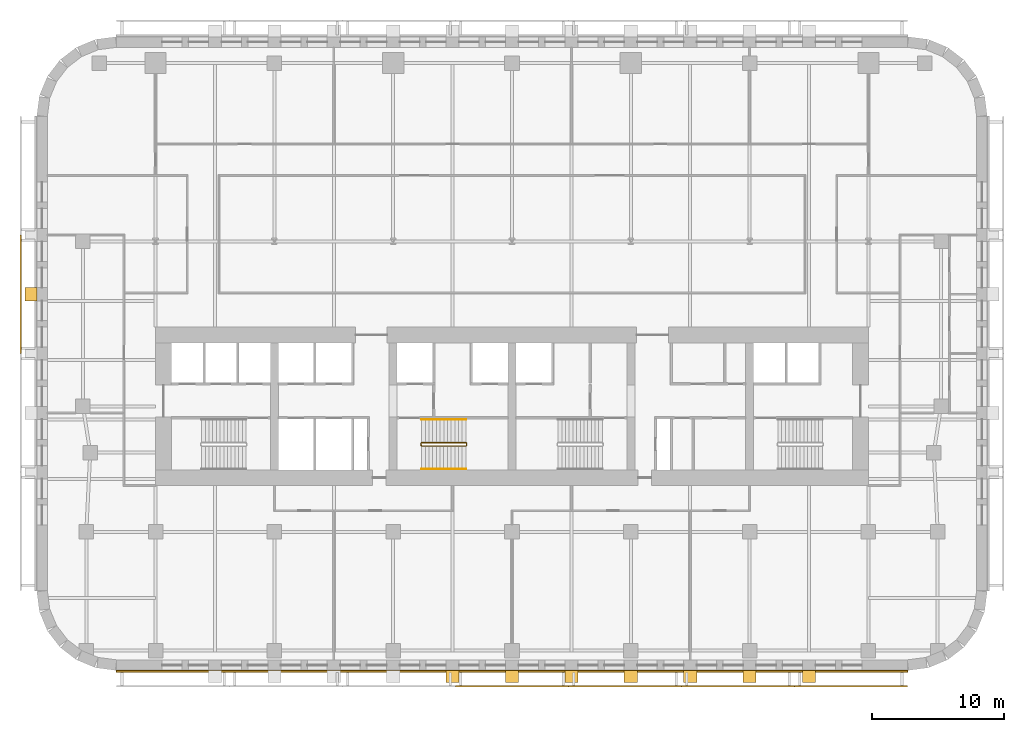
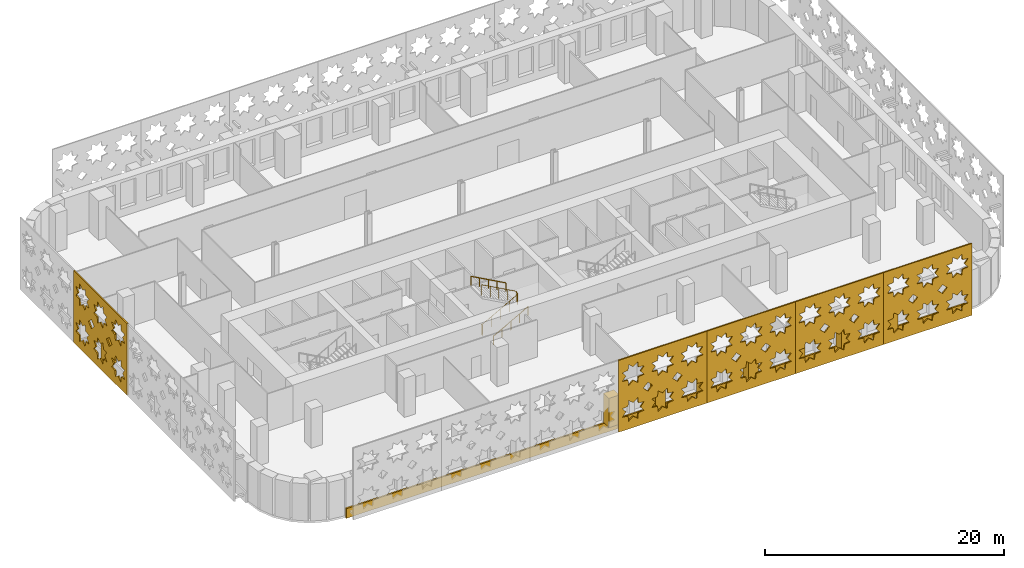
# One storey, part 12 of 15: 14 coverings, 3 railings.
"""IFC4 building model written with IfcOpenShell, lengths in metres."""

from ifc_helpers import new_model, si_unit, direction, frame, origin, origin_2d, place, context, subcontext, project, spatial, polyline, circle, outline, extrude, material, layer, layer_set, type_object, element, save


model = new_model("IFC4")

# Units and contexts
model_context = context("Model", 3, precision=1e-05, world=origin(), true_north=direction((0.0, 1.0)))
body_context = subcontext(model_context, "Body", "Model", "MODEL_VIEW")
ifc_project = project(units=[si_unit("LENGTHUNIT", "METRE"), si_unit("AREAUNIT", "SQUARE_METRE"), si_unit("VOLUMEUNIT", "CUBIC_METRE"), si_unit("PLANEANGLEUNIT", "RADIAN"), si_unit("MASSUNIT", "GRAM", prefix="KILO")], contexts=[model_context])

# Site, building, storey
site_placement = place(None, origin())
site = spatial("IfcSite", under=ifc_project, at=site_placement, CompositionType="ELEMENT")
building_placement = place(site_placement, origin())
building = spatial("IfcBuilding", under=site, at=building_placement, Name="Zellij Exchange Tower", CompositionType="ELEMENT")
storey_placement = place(building_placement, frame((0.0, 0.0, 92.5)))
storey = spatial("IfcBuildingStorey", under=building, at=storey_placement, Name="L19", CompositionType="ELEMENT", Elevation=92.5)

# Railings
ifc_material_1 = material(Name="Stainless steel", Category="steel")
railing_type_1 = type_object("IfcRailingType", Name="CORE-RG stair guard", PredefinedType="GUARDRAIL", material=ifc_material_1)
railing_1_placement = place(storey_placement, frame((-6.89990234375, -10.949951171875, 0.0)))
element("IfcRailing", 1, at=railing_1_placement, inside=storey, type_object=railing_type_1, Name="ST2 stair guard L19", PredefinedType="GUARDRAIL", context=body_context, shape_type="SweptSolid", body=[
    extrude(circle(Radius=0.02392578125, at=origin_2d()), frame((0.0, 0.0, 1.076171875), z_axis=(0.0, 1.0, 0.0), x_axis=(-1.0, 0.0, 0.0)), (0.0, 0.0, 1.0), 0.14990234375),
    extrude(circle(Radius=0.02392578125, at=origin_2d()), frame((0.0, 0.14990234375, 1.076171875), z_axis=(0.193691321961, -0.777613689637, 0.598164376644), x_axis=(0.970351222016, 0.241699205484, 0.0)), (0.0, 0.0, 1.0), 0.257080078125),
    extrude(circle(Radius=0.02392578125, at=origin_2d()), frame((0.0498046875, -0.050048828125, 1.22998046875), z_axis=(0.876421534553, 0.0, 0.481544695509), x_axis=(0.0, 1.0, 0.0)), (0.0, 0.0, 1.0), 3.833984375),
    extrude(circle(Radius=0.02392578125, at=origin_2d()), frame((3.409912109375, -0.050048828125, 3.076171875), z_axis=(0.707106781187, 0.707106781187, 0.0), x_axis=(-0.707106781187, 0.707106781187, 0.0)), (0.0, 0.0, 1.0), 0.07080078125),
    extrude(circle(Radius=0.02392578125, at=origin_2d()), frame((3.4599609375, 0.0, 3.076171875), z_axis=(0.0, 1.0, 0.0), x_axis=(-1.0, 0.0, 0.0)), (0.0, 0.0, 1.0), 0.14990234375),
    extrude(circle(Radius=0.02392578125, at=origin_2d()), frame((3.4599609375, 0.14990234375, 3.076171875), z_axis=(-0.295599637079, 0.295599637079, 0.908428152975), x_axis=(-0.707106781187, -0.707106781187, 0.0)), (0.0, 0.0, 1.0), 0.16943359375),
    extrude(circle(Radius=0.02392578125, at=origin_2d()), frame((3.409912109375, 0.199951171875, 3.22998046875), z_axis=(-0.876421534553, 0.0, 0.481544695509), x_axis=(0.0, -1.0, 0.0)), (0.0, 0.0, 1.0), 3.833984375),
    extrude(circle(Radius=0.02099609375, at=origin_2d()), origin(), (0.0, 0.0, 1.0), 1.052001953125),
    extrude(circle(Radius=0.02099609375, at=origin_2d()), frame((0.0, 0.14990234375, 0.0)), (0.0, 0.0, 1.0), 1.052001953125),
    extrude(circle(Radius=0.02099609375, at=origin_2d()), frame((0.0498046875, -0.050048828125, 0.15380859375)), (0.0, 0.0, 1.0), 1.052001953125),
    extrude(circle(Radius=0.02099609375, at=origin_2d()), frame((0.889892578125, -0.050048828125, 0.615234375)), (0.0, 0.0, 1.0), 1.052001953125),
    extrude(circle(Radius=0.02099609375, at=origin_2d()), frame((1.72998046875, -0.050048828125, 1.076904296875)), (0.0, 0.0, 1.0), 1.052001953125),
    extrude(circle(Radius=0.02099609375, at=origin_2d()), frame((2.56982421875, -0.050048828125, 1.53857421875)), (0.0, 0.0, 1.0), 1.052001953125),
    extrude(circle(Radius=0.02099609375, at=origin_2d()), frame((3.409912109375, -0.050048828125, 2.0)), (0.0, 0.0, 1.0), 1.052001953125),
    extrude(circle(Radius=0.02099609375, at=origin_2d()), frame((3.4599609375, 0.0, 2.0)), (0.0, 0.0, 1.0), 1.052001953125),
    extrude(circle(Radius=0.02099609375, at=origin_2d()), frame((3.4599609375, 0.14990234375, 2.0)), (0.0, 0.0, 1.0), 1.052001953125),
    extrude(circle(Radius=0.02099609375, at=origin_2d()), frame((3.409912109375, 0.199951171875, 2.15380859375)), (0.0, 0.0, 1.0), 1.052001953125),
    extrude(circle(Radius=0.02099609375, at=origin_2d()), frame((2.56982421875, 0.199951171875, 2.615234375)), (0.0, 0.0, 1.0), 1.052001953125),
    extrude(circle(Radius=0.02099609375, at=origin_2d()), frame((1.72998046875, 0.199951171875, 3.076904296875)), (0.0, 0.0, 1.0), 1.052001953125),
    extrude(circle(Radius=0.02099609375, at=origin_2d()), frame((0.889892578125, 0.199951171875, 3.53857421875)), (0.0, 0.0, 1.0), 1.052001953125),
    extrude(circle(Radius=0.02099609375, at=origin_2d()), frame((0.0498046875, 0.199951171875, 4.0)), (0.0, 0.0, 1.0), 1.052001953125),
])
railing_type_2 = type_object("IfcRailingType", Name="CORE-RH stair handrail", PredefinedType="HANDRAIL", material=ifc_material_1)
railing_2_placement = place(storey_placement, frame((-6.85009765625, -12.75, 0.15380859375)))
element("IfcRailing", 2, at=railing_2_placement, inside=storey, type_object=railing_type_2, Name="ST2 stair handrail L19", PredefinedType="HANDRAIL", context=body_context, shape_type="SweptSolid", body=[
    extrude(circle(Radius=0.02392578125, at=origin_2d()), frame((0.0, 0.0, 0.8759765625), z_axis=(0.876421534553, 0.0, 0.481544695509), x_axis=(0.0, 1.0, 0.0)), (0.0, 0.0, 1.0), 3.833984375),
    extrude(circle(Radius=0.02099609375, at=origin_2d()), origin(), (0.0, 0.0, 1.0), 0.851806640625),
    extrude(circle(Radius=0.02099609375, at=origin_2d()), frame((0.840087890625, 0.0, 0.46142578125)), (0.0, 0.0, 1.0), 0.851806640625),
    extrude(circle(Radius=0.02099609375, at=origin_2d()), frame((1.68017578125, 0.0, 0.923095703125)), (0.0, 0.0, 1.0), 0.851806640625),
    extrude(circle(Radius=0.02099609375, at=origin_2d()), frame((2.52001953125, 0.0, 1.384765625)), (0.0, 0.0, 1.0), 0.851806640625),
    extrude(circle(Radius=0.02099609375, at=origin_2d()), frame((3.360107421875, 0.0, 1.84619140625)), (0.0, 0.0, 1.0), 0.851806640625),
])
railing_3_placement = place(storey_placement, frame((-3.489990234375, -9.0, 2.15380859375)))
element("IfcRailing", 3, at=railing_3_placement, inside=storey, type_object=railing_type_2, Name="ST2 stair handrail L19", PredefinedType="HANDRAIL", context=body_context, shape_type="SweptSolid", body=[
    extrude(circle(Radius=0.02392578125, at=origin_2d()), frame((0.0, 0.0, 0.8759765625), z_axis=(-0.876421534553, 0.0, 0.481544695509), x_axis=(0.0, -1.0, 0.0)), (0.0, 0.0, 1.0), 3.833984375),
    extrude(circle(Radius=0.02099609375, at=origin_2d()), origin(), (0.0, 0.0, 1.0), 0.851806640625),
    extrude(circle(Radius=0.02099609375, at=origin_2d()), frame((-0.840087890625, 0.0, 0.46142578125)), (0.0, 0.0, 1.0), 0.851806640625),
    extrude(circle(Radius=0.02099609375, at=origin_2d()), frame((-1.68017578125, 0.0, 0.923095703125)), (0.0, 0.0, 1.0), 0.851806640625),
    extrude(circle(Radius=0.02099609375, at=origin_2d()), frame((-2.52001953125, 0.0, 1.384765625)), (0.0, 0.0, 1.0), 0.851806640625),
    extrude(circle(Radius=0.02099609375, at=origin_2d()), frame((-3.360107421875, 0.0, 1.84619140625)), (0.0, 0.0, 1.0), 0.851806640625),
])

# Coverings
ifc_material_2 = material(Name="Limestone cladding", Category="masonry")
ifc_layer_1 = layer(ifc_material_2, 0.14990234375)
ifc_layer_set_1 = layer_set([ifc_layer_1], Name="Limestone cladding")
covering_type_1 = type_object("IfcCoveringType", Name="ENV-CV1 Stone spandrel band 150", PredefinedType="CLADDING", material=ifc_layer_set_1)
covering_1_placement = place(storey_placement, frame((0.0, 0.0, -0.199951171875)))
element("IfcCovering", 4, at=covering_1_placement, inside=storey, type_object=covering_type_1, Name="Stone spandrel band", PredefinedType="CLADDING", context=body_context, shape_type="SweptSolid", body=[
    extrude(outline(polyline([(-29.973876953125, -28.0), (29.973876953125, -28.0), (29.983642578125, -28.14990234375), (-29.983642578125, -28.14990234375), (-29.973876953125, -28.0)])), origin(), (0.0, 0.0, 1.0), 1.0),
])
covering_type_2 = type_object("IfcCoveringType", Name="ENV-CV2 Stone pier 1000x900", PredefinedType="CLADDING", material=ifc_material_2)
covering_2_placement = place(storey_placement, frame((0.0, 0.0, 0.800048828125)))
element("IfcCovering", 5, at=covering_2_placement, inside=storey, type_object=covering_type_2, Name="Stone pier", PredefinedType="CLADDING", context=body_context, shape_type="SweptSolid", body=[
    extrude(outline(polyline([(-5.0, -28.0), (-4.0, -28.0), (-4.0, -28.89990234375), (-5.0, -28.89990234375), (-5.0, -28.0)])), origin(), (0.0, 0.0, 1.0), 3.0),
])
covering_3_placement = place(storey_placement, frame((0.0, 0.0, 0.800048828125)))
element("IfcCovering", 6, at=covering_3_placement, inside=storey, type_object=covering_type_2, Name="Stone pier", PredefinedType="CLADDING", context=body_context, shape_type="SweptSolid", body=[
    extrude(outline(polyline([(-0.5, -28.0), (0.5, -28.0), (0.5, -28.89990234375), (-0.5, -28.89990234375), (-0.5, -28.0)])), origin(), (0.0, 0.0, 1.0), 3.0),
])
covering_4_placement = place(storey_placement, frame((0.0, 0.0, 0.800048828125)))
element("IfcCovering", 7, at=covering_4_placement, inside=storey, type_object=covering_type_2, Name="Stone pier", PredefinedType="CLADDING", context=body_context, shape_type="SweptSolid", body=[
    extrude(outline(polyline([(4.0, -28.0), (5.0, -28.0), (5.0, -28.89990234375), (4.0, -28.89990234375), (4.0, -28.0)])), origin(), (0.0, 0.0, 1.0), 3.0),
])
covering_5_placement = place(storey_placement, frame((0.0, 0.0, 0.800048828125)))
element("IfcCovering", 8, at=covering_5_placement, inside=storey, type_object=covering_type_2, Name="Stone pier", PredefinedType="CLADDING", context=body_context, shape_type="SweptSolid", body=[
    extrude(outline(polyline([(8.5, -28.0), (9.5, -28.0), (9.5, -28.89990234375), (8.5, -28.89990234375), (8.5, -28.0)])), origin(), (0.0, 0.0, 1.0), 3.0),
])
covering_6_placement = place(storey_placement, frame((0.0, 0.0, 0.800048828125)))
element("IfcCovering", 9, at=covering_6_placement, inside=storey, type_object=covering_type_2, Name="Stone pier", PredefinedType="CLADDING", context=body_context, shape_type="SweptSolid", body=[
    extrude(outline(polyline([(13.0, -28.0), (14.0, -28.0), (14.0, -28.89990234375), (13.0, -28.89990234375), (13.0, -28.0)])), origin(), (0.0, 0.0, 1.0), 3.0),
])
covering_7_placement = place(storey_placement, frame((0.0, 0.0, 0.800048828125)))
element("IfcCovering", 10, at=covering_7_placement, inside=storey, type_object=covering_type_2, Name="Stone pier", PredefinedType="CLADDING", context=body_context, shape_type="SweptSolid", body=[
    extrude(outline(polyline([(17.5, -28.0), (18.5, -28.0), (18.5, -28.89990234375), (17.5, -28.89990234375), (17.5, -28.0)])), origin(), (0.0, 0.0, 1.0), 3.0),
])
covering_8_placement = place(storey_placement, frame((0.0, 0.0, 0.800048828125)))
element("IfcCovering", 11, at=covering_8_placement, inside=storey, type_object=covering_type_2, Name="Stone pier", PredefinedType="CLADDING", context=body_context, shape_type="SweptSolid", body=[
    extrude(outline(polyline([(22.0, -28.0), (23.0, -28.0), (23.0, -28.89990234375), (22.0, -28.89990234375), (22.0, -28.0)])), origin(), (0.0, 0.0, 1.0), 3.0),
])
covering_9_placement = place(storey_placement, frame((0.0, 0.0, 0.800048828125)))
element("IfcCovering", 12, at=covering_9_placement, inside=storey, type_object=covering_type_2, Name="Stone pier", PredefinedType="CLADDING", context=body_context, shape_type="SweptSolid", body=[
    extrude(outline(polyline([(-36.0, 0.993408203125), (-36.0, -0.006591796875), (-36.89990234375, -0.006591796875), (-36.89990234375, 0.993408203125), (-36.0, 0.993408203125)])), origin(), (0.0, 0.0, 1.0), 3.0),
])
ifc_material_3 = material(Name="Limestone screen", Category="masonry")
ifc_layer_2 = layer(ifc_material_3, 0.1201171875)
ifc_layer_set_2 = layer_set([ifc_layer_2], Name="Limestone screen")
covering_type_3 = type_object("IfcCoveringType", Name="ENV-SC1 Pierced stone screen 120", PredefinedType="USERDEFINED", material=ifc_layer_set_2)
covering_10_placement = place(storey_placement, frame((-37.2099609375, 4.973876953125, 0.300048828125), z_axis=(0.0, 0.0, 1.0), x_axis=(0.0, -1.0, 0.0)))
element("IfcCovering", 13, at=covering_10_placement, inside=storey, type_object=covering_type_3, Name="Pierced stone screen", ObjectType="SCREEN", PredefinedType="USERDEFINED", context=body_context, shape_type="SweptSolid", body=[
    extrude(outline(polyline([(0.0, 0.0), (8.973876953125, 0.0), (8.973876953125, 7.35009765625), (0.0, 7.35009765625), (0.0, 0.0)]), holes=[polyline([(2.60107421875, 2.29541015625), (2.020263671875, 2.362060546875), (1.95361328125, 2.94287109375), (1.49560546875, 2.579345703125), (1.03759765625, 2.94287109375), (0.97119140625, 2.362060546875), (0.39013671875, 2.29541015625), (0.75390625, 1.83740234375), (0.39013671875, 1.379638671875), (0.97119140625, 1.31298828125), (1.03759765625, 0.732177734375), (1.49560546875, 1.095703125), (1.95361328125, 0.732177734375), (2.020263671875, 1.31298828125), (2.60107421875, 1.379638671875), (2.237548828125, 1.83740234375), (2.60107421875, 2.29541015625)]), polyline([(2.60107421875, 5.970458984375), (2.020263671875, 6.037109375), (1.95361328125, 6.617919921875), (1.49560546875, 6.25439453125), (1.03759765625, 6.617919921875), (0.97119140625, 6.037109375), (0.39013671875, 5.970458984375), (0.75390625, 5.512451171875), (0.39013671875, 5.0546875), (0.97119140625, 4.98779296875), (1.03759765625, 4.406982421875), (1.49560546875, 4.770751953125), (1.95361328125, 4.406982421875), (2.020263671875, 4.98779296875), (2.60107421875, 5.0546875), (2.237548828125, 5.512451171875), (2.60107421875, 5.970458984375)]), polyline([(5.59228515625, 2.29541015625), (5.011474609375, 2.362060546875), (4.94482421875, 2.94287109375), (4.48681640625, 2.579345703125), (4.029052734375, 2.94287109375), (3.96240234375, 2.362060546875), (3.381591796875, 2.29541015625), (3.7451171875, 1.83740234375), (3.381591796875, 1.379638671875), (3.96240234375, 1.31298828125), (4.029052734375, 0.732177734375), (4.48681640625, 1.095703125), (4.94482421875, 0.732177734375), (5.011474609375, 1.31298828125), (5.59228515625, 1.379638671875), (5.228759765625, 1.83740234375), (5.59228515625, 2.29541015625)]), polyline([(5.59228515625, 5.970458984375), (5.011474609375, 6.037109375), (4.94482421875, 6.617919921875), (4.48681640625, 6.25439453125), (4.029052734375, 6.617919921875), (3.96240234375, 6.037109375), (3.381591796875, 5.970458984375), (3.7451171875, 5.512451171875), (3.381591796875, 5.0546875), (3.96240234375, 4.98779296875), (4.029052734375, 4.406982421875), (4.48681640625, 4.770751953125), (4.94482421875, 4.406982421875), (5.011474609375, 4.98779296875), (5.59228515625, 5.0546875), (5.228759765625, 5.512451171875), (5.59228515625, 5.970458984375)]), polyline([(8.58349609375, 2.29541015625), (8.002685546875, 2.362060546875), (7.93603515625, 2.94287109375), (7.478271484375, 2.579345703125), (7.020263671875, 2.94287109375), (6.95361328125, 2.362060546875), (6.372802734375, 2.29541015625), (6.736328125, 1.83740234375), (6.372802734375, 1.379638671875), (6.95361328125, 1.31298828125), (7.020263671875, 0.732177734375), (7.478271484375, 1.095703125), (7.93603515625, 0.732177734375), (8.002685546875, 1.31298828125), (8.58349609375, 1.379638671875), (8.219970703125, 1.83740234375), (8.58349609375, 2.29541015625)]), polyline([(8.58349609375, 5.970458984375), (8.002685546875, 6.037109375), (7.93603515625, 6.617919921875), (7.478271484375, 6.25439453125), (7.020263671875, 6.617919921875), (6.95361328125, 6.037109375), (6.372802734375, 5.970458984375), (6.736328125, 5.512451171875), (6.372802734375, 5.0546875), (6.95361328125, 4.98779296875), (7.020263671875, 4.406982421875), (7.478271484375, 4.770751953125), (7.93603515625, 4.406982421875), (8.002685546875, 4.98779296875), (8.58349609375, 5.0546875), (8.219970703125, 5.512451171875), (8.58349609375, 5.970458984375)]), polyline([(3.469970703125, 3.675048828125), (2.9912109375, 4.153564453125), (2.5126953125, 3.675048828125), (2.9912109375, 3.1962890625), (3.469970703125, 3.675048828125)]), polyline([(6.461181640625, 3.675048828125), (5.982421875, 4.153564453125), (5.50390625, 3.675048828125), (5.982421875, 3.1962890625), (6.461181640625, 3.675048828125)])]), frame((0.0, 0.06005859375, 0.0), z_axis=(0.0, -1.0, 0.0), x_axis=(1.0, 0.0, 0.0)), (0.0, 0.0, 1.0), 0.1201171875),
])
covering_11_placement = place(storey_placement, frame((-4.2783203125, -29.2099609375, 0.300048828125), z_axis=(0.0, 0.0, 1.0), x_axis=(1.0, 0.0, 0.0)))
element("IfcCovering", 14, at=covering_11_placement, inside=storey, type_object=covering_type_3, Name="Pierced stone screen", ObjectType="SCREEN", PredefinedType="USERDEFINED", context=body_context, shape_type="SweptSolid", body=[
    extrude(outline(polyline([(0.0, 0.0), (8.556396484375, 0.0), (8.556396484375, 7.35009765625), (0.0, 7.35009765625), (0.0, 0.0)]), holes=[polyline([(2.47998046875, 2.274169921875), (1.92626953125, 2.337646484375), (1.86279296875, 2.8916015625), (1.426025390625, 2.544921875), (0.989501953125, 2.8916015625), (0.92578125, 2.337646484375), (0.3720703125, 2.274169921875), (0.71875, 1.83740234375), (0.3720703125, 1.40087890625), (0.92578125, 1.33740234375), (0.989501953125, 0.783447265625), (1.426025390625, 1.130126953125), (1.86279296875, 0.783447265625), (1.92626953125, 1.33740234375), (2.47998046875, 1.40087890625), (2.13330078125, 1.83740234375), (2.47998046875, 2.274169921875)]), polyline([(2.47998046875, 5.94921875), (1.92626953125, 6.0126953125), (1.86279296875, 6.56640625), (1.426025390625, 6.2197265625), (0.989501953125, 6.56640625), (0.92578125, 6.0126953125), (0.3720703125, 5.94921875), (0.71875, 5.512451171875), (0.3720703125, 5.075927734375), (0.92578125, 5.01220703125), (0.989501953125, 4.45849609375), (1.426025390625, 4.80517578125), (1.86279296875, 4.45849609375), (1.92626953125, 5.01220703125), (2.47998046875, 5.075927734375), (2.13330078125, 5.512451171875), (2.47998046875, 5.94921875)]), polyline([(5.332275390625, 2.274169921875), (4.7783203125, 2.337646484375), (4.71484375, 2.8916015625), (4.2783203125, 2.544921875), (3.841552734375, 2.8916015625), (3.778076171875, 2.337646484375), (3.22412109375, 2.274169921875), (3.57080078125, 1.83740234375), (3.22412109375, 1.40087890625), (3.778076171875, 1.33740234375), (3.841552734375, 0.783447265625), (4.2783203125, 1.130126953125), (4.71484375, 0.783447265625), (4.7783203125, 1.33740234375), (5.332275390625, 1.40087890625), (4.985595703125, 1.83740234375), (5.332275390625, 2.274169921875)]), polyline([(5.332275390625, 5.94921875), (4.7783203125, 6.0126953125), (4.71484375, 6.56640625), (4.2783203125, 6.2197265625), (3.841552734375, 6.56640625), (3.778076171875, 6.0126953125), (3.22412109375, 5.94921875), (3.57080078125, 5.512451171875), (3.22412109375, 5.075927734375), (3.778076171875, 5.01220703125), (3.841552734375, 4.45849609375), (4.2783203125, 4.80517578125), (4.71484375, 4.45849609375), (4.7783203125, 5.01220703125), (5.332275390625, 5.075927734375), (4.985595703125, 5.512451171875), (5.332275390625, 5.94921875)]), polyline([(8.184326171875, 2.274169921875), (7.630615234375, 2.337646484375), (7.56689453125, 2.8916015625), (7.13037109375, 2.544921875), (6.69384765625, 2.8916015625), (6.630126953125, 2.337646484375), (6.076416015625, 2.274169921875), (6.423095703125, 1.83740234375), (6.076416015625, 1.40087890625), (6.630126953125, 1.33740234375), (6.69384765625, 0.783447265625), (7.13037109375, 1.130126953125), (7.56689453125, 0.783447265625), (7.630615234375, 1.33740234375), (8.184326171875, 1.40087890625), (7.837646484375, 1.83740234375), (8.184326171875, 2.274169921875)]), polyline([(8.184326171875, 5.94921875), (7.630615234375, 6.0126953125), (7.56689453125, 6.56640625), (7.13037109375, 6.2197265625), (6.69384765625, 6.56640625), (6.630126953125, 6.0126953125), (6.076416015625, 5.94921875), (6.423095703125, 5.512451171875), (6.076416015625, 5.075927734375), (6.630126953125, 5.01220703125), (6.69384765625, 4.45849609375), (7.13037109375, 4.80517578125), (7.56689453125, 4.45849609375), (7.630615234375, 5.01220703125), (8.184326171875, 5.075927734375), (7.837646484375, 5.512451171875), (8.184326171875, 5.94921875)]), polyline([(3.30859375, 3.675048828125), (2.852294921875, 4.13134765625), (2.395751953125, 3.675048828125), (2.852294921875, 3.21875), (3.30859375, 3.675048828125)]), polyline([(6.16064453125, 3.675048828125), (5.704345703125, 4.13134765625), (5.248046875, 3.675048828125), (5.704345703125, 3.21875), (6.16064453125, 3.675048828125)])]), frame((0.0, 0.06005859375, 0.0), z_axis=(0.0, -1.0, 0.0), x_axis=(1.0, 0.0, 0.0)), (0.0, 0.0, 1.0), 0.1201171875),
])
covering_12_placement = place(storey_placement, frame((4.2783203125, -29.2099609375, 0.300048828125), z_axis=(0.0, 0.0, 1.0), x_axis=(1.0, 0.0, 0.0)))
element("IfcCovering", 15, at=covering_12_placement, inside=storey, type_object=covering_type_3, Name="Pierced stone screen", ObjectType="SCREEN", PredefinedType="USERDEFINED", context=body_context, shape_type="SweptSolid", body=[
    extrude(outline(polyline([(0.0, 0.0), (8.556396484375, 0.0), (8.556396484375, 7.35009765625), (0.0, 7.35009765625), (0.0, 0.0)]), holes=[polyline([(2.47998046875, 2.274169921875), (1.92626953125, 2.337646484375), (1.86279296875, 2.8916015625), (1.426025390625, 2.544921875), (0.989501953125, 2.8916015625), (0.92578125, 2.337646484375), (0.3720703125, 2.274169921875), (0.71875, 1.83740234375), (0.3720703125, 1.40087890625), (0.92578125, 1.33740234375), (0.989501953125, 0.783447265625), (1.426025390625, 1.130126953125), (1.86279296875, 0.783447265625), (1.92626953125, 1.33740234375), (2.47998046875, 1.40087890625), (2.13330078125, 1.83740234375), (2.47998046875, 2.274169921875)]), polyline([(2.47998046875, 5.94921875), (1.92626953125, 6.0126953125), (1.86279296875, 6.56640625), (1.426025390625, 6.2197265625), (0.989501953125, 6.56640625), (0.92578125, 6.0126953125), (0.3720703125, 5.94921875), (0.71875, 5.512451171875), (0.3720703125, 5.075927734375), (0.92578125, 5.01220703125), (0.989501953125, 4.45849609375), (1.426025390625, 4.80517578125), (1.86279296875, 4.45849609375), (1.92626953125, 5.01220703125), (2.47998046875, 5.075927734375), (2.13330078125, 5.512451171875), (2.47998046875, 5.94921875)]), polyline([(5.332275390625, 2.274169921875), (4.7783203125, 2.337646484375), (4.71484375, 2.8916015625), (4.2783203125, 2.544921875), (3.841552734375, 2.8916015625), (3.778076171875, 2.337646484375), (3.22412109375, 2.274169921875), (3.57080078125, 1.83740234375), (3.22412109375, 1.40087890625), (3.778076171875, 1.33740234375), (3.841552734375, 0.783447265625), (4.2783203125, 1.130126953125), (4.71484375, 0.783447265625), (4.7783203125, 1.33740234375), (5.332275390625, 1.40087890625), (4.985595703125, 1.83740234375), (5.332275390625, 2.274169921875)]), polyline([(5.332275390625, 5.94921875), (4.7783203125, 6.0126953125), (4.71484375, 6.56640625), (4.2783203125, 6.2197265625), (3.841552734375, 6.56640625), (3.778076171875, 6.0126953125), (3.22412109375, 5.94921875), (3.57080078125, 5.512451171875), (3.22412109375, 5.075927734375), (3.778076171875, 5.01220703125), (3.841552734375, 4.45849609375), (4.2783203125, 4.80517578125), (4.71484375, 4.45849609375), (4.7783203125, 5.01220703125), (5.332275390625, 5.075927734375), (4.985595703125, 5.512451171875), (5.332275390625, 5.94921875)]), polyline([(8.184326171875, 2.274169921875), (7.630615234375, 2.337646484375), (7.56689453125, 2.8916015625), (7.13037109375, 2.544921875), (6.69384765625, 2.8916015625), (6.630126953125, 2.337646484375), (6.076416015625, 2.274169921875), (6.423095703125, 1.83740234375), (6.076416015625, 1.40087890625), (6.630126953125, 1.33740234375), (6.69384765625, 0.783447265625), (7.13037109375, 1.130126953125), (7.56689453125, 0.783447265625), (7.630615234375, 1.33740234375), (8.184326171875, 1.40087890625), (7.837646484375, 1.83740234375), (8.184326171875, 2.274169921875)]), polyline([(8.184326171875, 5.94921875), (7.630615234375, 6.0126953125), (7.56689453125, 6.56640625), (7.13037109375, 6.2197265625), (6.69384765625, 6.56640625), (6.630126953125, 6.0126953125), (6.076416015625, 5.94921875), (6.423095703125, 5.512451171875), (6.076416015625, 5.075927734375), (6.630126953125, 5.01220703125), (6.69384765625, 4.45849609375), (7.13037109375, 4.80517578125), (7.56689453125, 4.45849609375), (7.630615234375, 5.01220703125), (8.184326171875, 5.075927734375), (7.837646484375, 5.512451171875), (8.184326171875, 5.94921875)]), polyline([(3.30859375, 3.675048828125), (2.852294921875, 4.13134765625), (2.395751953125, 3.675048828125), (2.852294921875, 3.21875), (3.30859375, 3.675048828125)]), polyline([(6.16064453125, 3.675048828125), (5.704345703125, 4.13134765625), (5.248046875, 3.675048828125), (5.704345703125, 3.21875), (6.16064453125, 3.675048828125)])]), frame((0.0, 0.06005859375, 0.0), z_axis=(0.0, -1.0, 0.0), x_axis=(1.0, 0.0, 0.0)), (0.0, 0.0, 1.0), 0.1201171875),
])
covering_13_placement = place(storey_placement, frame((12.834716796875, -29.2099609375, 0.300048828125), z_axis=(0.0, 0.0, 1.0), x_axis=(1.0, 0.0, 0.0)))
element("IfcCovering", 16, at=covering_13_placement, inside=storey, type_object=covering_type_3, Name="Pierced stone screen", ObjectType="SCREEN", PredefinedType="USERDEFINED", context=body_context, shape_type="SweptSolid", body=[
    extrude(outline(polyline([(0.0, 0.0), (8.556396484375, 0.0), (8.556396484375, 7.35009765625), (0.0, 7.35009765625), (0.0, 0.0)]), holes=[polyline([(2.47998046875, 2.274169921875), (1.92626953125, 2.337646484375), (1.86279296875, 2.8916015625), (1.426025390625, 2.544921875), (0.989501953125, 2.8916015625), (0.92578125, 2.337646484375), (0.3720703125, 2.274169921875), (0.71875, 1.83740234375), (0.3720703125, 1.40087890625), (0.92578125, 1.33740234375), (0.989501953125, 0.783447265625), (1.426025390625, 1.130126953125), (1.86279296875, 0.783447265625), (1.92626953125, 1.33740234375), (2.47998046875, 1.40087890625), (2.13330078125, 1.83740234375), (2.47998046875, 2.274169921875)]), polyline([(2.47998046875, 5.94921875), (1.92626953125, 6.0126953125), (1.86279296875, 6.56640625), (1.426025390625, 6.2197265625), (0.989501953125, 6.56640625), (0.92578125, 6.0126953125), (0.3720703125, 5.94921875), (0.71875, 5.512451171875), (0.3720703125, 5.075927734375), (0.92578125, 5.01220703125), (0.989501953125, 4.45849609375), (1.426025390625, 4.80517578125), (1.86279296875, 4.45849609375), (1.92626953125, 5.01220703125), (2.47998046875, 5.075927734375), (2.13330078125, 5.512451171875), (2.47998046875, 5.94921875)]), polyline([(5.332275390625, 2.274169921875), (4.7783203125, 2.337646484375), (4.71484375, 2.8916015625), (4.2783203125, 2.544921875), (3.841552734375, 2.8916015625), (3.778076171875, 2.337646484375), (3.22412109375, 2.274169921875), (3.57080078125, 1.83740234375), (3.22412109375, 1.40087890625), (3.778076171875, 1.33740234375), (3.841552734375, 0.783447265625), (4.2783203125, 1.130126953125), (4.71484375, 0.783447265625), (4.7783203125, 1.33740234375), (5.332275390625, 1.40087890625), (4.985595703125, 1.83740234375), (5.332275390625, 2.274169921875)]), polyline([(5.332275390625, 5.94921875), (4.7783203125, 6.0126953125), (4.71484375, 6.56640625), (4.2783203125, 6.2197265625), (3.841552734375, 6.56640625), (3.778076171875, 6.0126953125), (3.22412109375, 5.94921875), (3.57080078125, 5.512451171875), (3.22412109375, 5.075927734375), (3.778076171875, 5.01220703125), (3.841552734375, 4.45849609375), (4.2783203125, 4.80517578125), (4.71484375, 4.45849609375), (4.7783203125, 5.01220703125), (5.332275390625, 5.075927734375), (4.985595703125, 5.512451171875), (5.332275390625, 5.94921875)]), polyline([(8.184326171875, 2.274169921875), (7.630615234375, 2.337646484375), (7.56689453125, 2.8916015625), (7.13037109375, 2.544921875), (6.69384765625, 2.8916015625), (6.630126953125, 2.337646484375), (6.076416015625, 2.274169921875), (6.423095703125, 1.83740234375), (6.076416015625, 1.40087890625), (6.630126953125, 1.33740234375), (6.69384765625, 0.783447265625), (7.13037109375, 1.130126953125), (7.56689453125, 0.783447265625), (7.630615234375, 1.33740234375), (8.184326171875, 1.40087890625), (7.837646484375, 1.83740234375), (8.184326171875, 2.274169921875)]), polyline([(8.184326171875, 5.94921875), (7.630615234375, 6.0126953125), (7.56689453125, 6.56640625), (7.13037109375, 6.2197265625), (6.69384765625, 6.56640625), (6.630126953125, 6.0126953125), (6.076416015625, 5.94921875), (6.423095703125, 5.512451171875), (6.076416015625, 5.075927734375), (6.630126953125, 5.01220703125), (6.69384765625, 4.45849609375), (7.13037109375, 4.80517578125), (7.56689453125, 4.45849609375), (7.630615234375, 5.01220703125), (8.184326171875, 5.075927734375), (7.837646484375, 5.512451171875), (8.184326171875, 5.94921875)]), polyline([(3.30859375, 3.675048828125), (2.852294921875, 4.13134765625), (2.395751953125, 3.675048828125), (2.852294921875, 3.21875), (3.30859375, 3.675048828125)]), polyline([(6.16064453125, 3.675048828125), (5.704345703125, 4.13134765625), (5.248046875, 3.675048828125), (5.704345703125, 3.21875), (6.16064453125, 3.675048828125)])]), frame((0.0, 0.06005859375, 0.0), z_axis=(0.0, -1.0, 0.0), x_axis=(1.0, 0.0, 0.0)), (0.0, 0.0, 1.0), 0.1201171875),
])
covering_14_placement = place(storey_placement, frame((21.39111328125, -29.2099609375, 0.300048828125), z_axis=(0.0, 0.0, 1.0), x_axis=(1.0, 0.0, 0.0)))
element("IfcCovering", 17, at=covering_14_placement, inside=storey, type_object=covering_type_3, Name="Pierced stone screen", ObjectType="SCREEN", PredefinedType="USERDEFINED", context=body_context, shape_type="SweptSolid", body=[
    extrude(outline(polyline([(0.0, 0.0), (8.556396484375, 0.0), (8.556396484375, 7.35009765625), (0.0, 7.35009765625), (0.0, 0.0)]), holes=[polyline([(2.47998046875, 2.274169921875), (1.92626953125, 2.337646484375), (1.86279296875, 2.8916015625), (1.426025390625, 2.544921875), (0.989501953125, 2.8916015625), (0.92578125, 2.337646484375), (0.3720703125, 2.274169921875), (0.71875, 1.83740234375), (0.3720703125, 1.40087890625), (0.92578125, 1.33740234375), (0.989501953125, 0.783447265625), (1.426025390625, 1.130126953125), (1.86279296875, 0.783447265625), (1.92626953125, 1.33740234375), (2.47998046875, 1.40087890625), (2.13330078125, 1.83740234375), (2.47998046875, 2.274169921875)]), polyline([(2.47998046875, 5.94921875), (1.92626953125, 6.0126953125), (1.86279296875, 6.56640625), (1.426025390625, 6.2197265625), (0.989501953125, 6.56640625), (0.92578125, 6.0126953125), (0.3720703125, 5.94921875), (0.71875, 5.512451171875), (0.3720703125, 5.075927734375), (0.92578125, 5.01220703125), (0.989501953125, 4.45849609375), (1.426025390625, 4.80517578125), (1.86279296875, 4.45849609375), (1.92626953125, 5.01220703125), (2.47998046875, 5.075927734375), (2.13330078125, 5.512451171875), (2.47998046875, 5.94921875)]), polyline([(5.332275390625, 2.274169921875), (4.7783203125, 2.337646484375), (4.71484375, 2.8916015625), (4.2783203125, 2.544921875), (3.841552734375, 2.8916015625), (3.778076171875, 2.337646484375), (3.22412109375, 2.274169921875), (3.57080078125, 1.83740234375), (3.22412109375, 1.40087890625), (3.778076171875, 1.33740234375), (3.841552734375, 0.783447265625), (4.2783203125, 1.130126953125), (4.71484375, 0.783447265625), (4.7783203125, 1.33740234375), (5.332275390625, 1.40087890625), (4.985595703125, 1.83740234375), (5.332275390625, 2.274169921875)]), polyline([(5.332275390625, 5.94921875), (4.7783203125, 6.0126953125), (4.71484375, 6.56640625), (4.2783203125, 6.2197265625), (3.841552734375, 6.56640625), (3.778076171875, 6.0126953125), (3.22412109375, 5.94921875), (3.57080078125, 5.512451171875), (3.22412109375, 5.075927734375), (3.778076171875, 5.01220703125), (3.841552734375, 4.45849609375), (4.2783203125, 4.80517578125), (4.71484375, 4.45849609375), (4.7783203125, 5.01220703125), (5.332275390625, 5.075927734375), (4.985595703125, 5.512451171875), (5.332275390625, 5.94921875)]), polyline([(8.184326171875, 2.274169921875), (7.630615234375, 2.337646484375), (7.56689453125, 2.8916015625), (7.13037109375, 2.544921875), (6.69384765625, 2.8916015625), (6.630126953125, 2.337646484375), (6.076416015625, 2.274169921875), (6.423095703125, 1.83740234375), (6.076416015625, 1.40087890625), (6.630126953125, 1.33740234375), (6.69384765625, 0.783447265625), (7.13037109375, 1.130126953125), (7.56689453125, 0.783447265625), (7.630615234375, 1.33740234375), (8.184326171875, 1.40087890625), (7.837646484375, 1.83740234375), (8.184326171875, 2.274169921875)]), polyline([(8.184326171875, 5.94921875), (7.630615234375, 6.0126953125), (7.56689453125, 6.56640625), (7.13037109375, 6.2197265625), (6.69384765625, 6.56640625), (6.630126953125, 6.0126953125), (6.076416015625, 5.94921875), (6.423095703125, 5.512451171875), (6.076416015625, 5.075927734375), (6.630126953125, 5.01220703125), (6.69384765625, 4.45849609375), (7.13037109375, 4.80517578125), (7.56689453125, 4.45849609375), (7.630615234375, 5.01220703125), (8.184326171875, 5.075927734375), (7.837646484375, 5.512451171875), (8.184326171875, 5.94921875)]), polyline([(3.30859375, 3.675048828125), (2.852294921875, 4.13134765625), (2.395751953125, 3.675048828125), (2.852294921875, 3.21875), (3.30859375, 3.675048828125)]), polyline([(6.16064453125, 3.675048828125), (5.704345703125, 4.13134765625), (5.248046875, 3.675048828125), (5.704345703125, 3.21875), (6.16064453125, 3.675048828125)])]), frame((0.0, 0.06005859375, 0.0), z_axis=(0.0, -1.0, 0.0), x_axis=(1.0, 0.0, 0.0)), (0.0, 0.0, 1.0), 0.1201171875),
])

save(model, "model.ifc")
